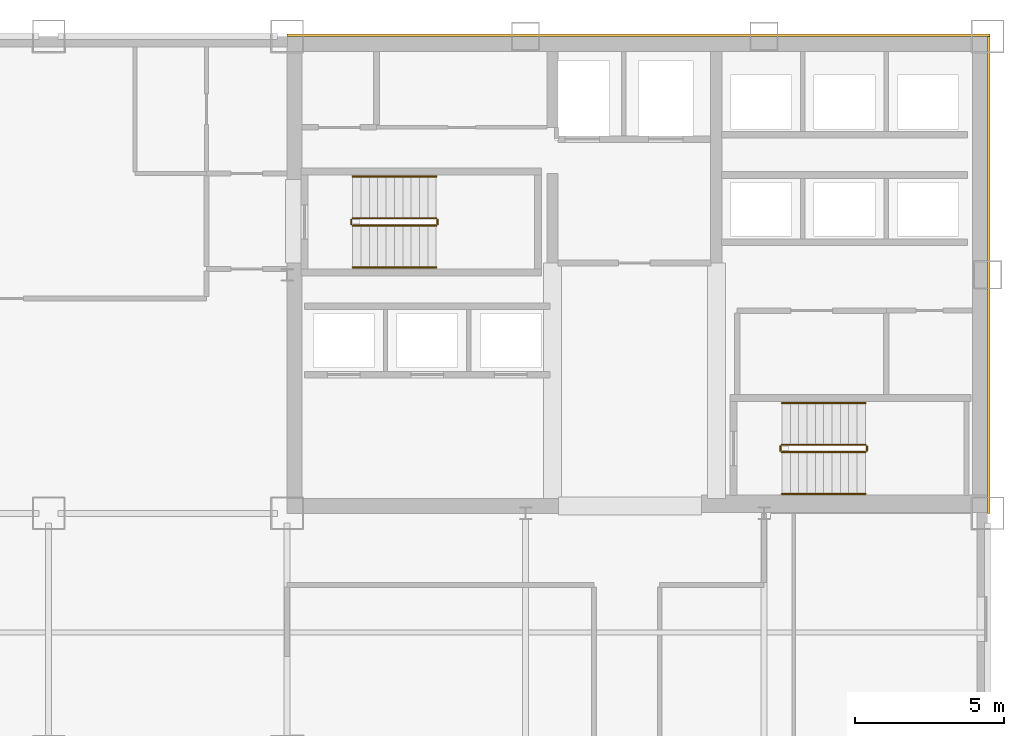
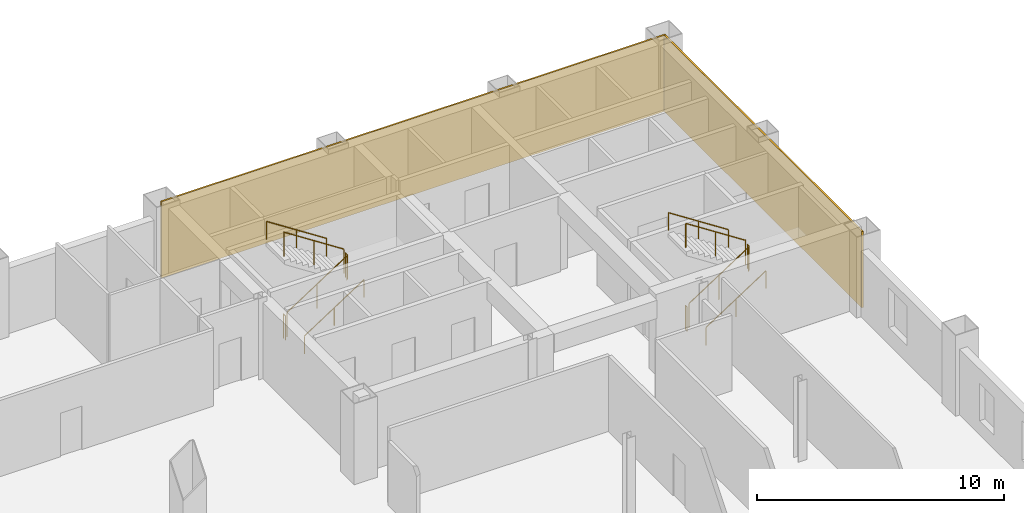
# One storey, part 9 of 9: 12 railings, 2 coverings.
"""IFC4 building model written with IfcOpenShell, lengths in metres."""

from ifc_helpers import new_model, si_unit, direction, frame, origin, origin_2d, place, context, subcontext, project, spatial, rectangle, circle, extrude, material, layer, layer_set, type_object, element, save


model = new_model("IFC4")

# Units and contexts
model_context = context("Model", 3, precision=1e-05, world=origin(), true_north=direction((0.0, 1.0)))
body_context = subcontext(model_context, "Body", "Model", "MODEL_VIEW")
ifc_project = project(units=[si_unit("LENGTHUNIT", "METRE"), si_unit("AREAUNIT", "SQUARE_METRE"), si_unit("VOLUMEUNIT", "CUBIC_METRE"), si_unit("PLANEANGLEUNIT", "RADIAN"), si_unit("MASSUNIT", "GRAM", prefix="KILO")], contexts=[model_context])

# Site, building, storey
site_placement = place(None, origin())
site = spatial("IfcSite", under=ifc_project, at=site_placement, CompositionType="ELEMENT")
building_placement = place(site_placement, origin())
building = spatial("IfcBuilding", under=site, at=building_placement, Name="Qianrong Seaharbour Tower", CompositionType="ELEMENT")
storey_placement = place(building_placement, frame((0.0, 0.0, 163.0)))
storey = spatial("IfcBuildingStorey", under=building, at=storey_placement, Name="L39", CompositionType="ELEMENT", Elevation=163.0)

# Coverings
ifc_material_1 = material(Name="Unitised red brick cladding on Precast concrete C45/55", Category="masonry")
ifc_layer = layer(ifc_material_1, 0.080078125)
ifc_layer_set = layer_set([ifc_layer], Name="Unitised red brick cladding on Precast concrete C45/55")
covering_type = type_object("IfcCoveringType", Name="COV-CLAD-RED-BRICK-80", PredefinedType="CLADDING", material=ifc_layer_set)
covering_1_placement = place(storey_placement, frame((52.2900390625, 52.0400390625, 0.0), z_axis=(0.0, 0.0, 1.0), x_axis=(1.0, 0.0, 0.0)))
element("IfcCovering", 1, at=covering_1_placement, inside=storey, type_object=covering_type, Name="L39 North Core Brick Veneer Cladding", PredefinedType="CLADDING", context=body_context, shape_type="SweptSolid", body=[
    extrude(rectangle(XDim=23.580078125, YDim=0.080078125, at=origin_2d()), origin(), (0.0, 0.0, 1.0), 3.764892578125),
])
covering_2_placement = place(storey_placement, frame((64.0400390625, 44.0, 0.0), z_axis=(0.0, 0.0, 1.0), x_axis=(1.0, 0.0, 0.0)))
element("IfcCovering", 2, at=covering_2_placement, inside=storey, type_object=covering_type, Name="L39 East Core Brick Veneer Cladding", PredefinedType="CLADDING", context=body_context, shape_type="SweptSolid", body=[
    extrude(rectangle(XDim=0.080078125, YDim=16.0, at=origin_2d()), origin(), (0.0, 0.0, 1.0), 3.764892578125),
])

# Railings
ifc_material_2 = material(Name="Galvanized painted steel SN400B stair guard", Category="steel")
railing_type_1 = type_object("IfcRailingType", Name="RAIL-STAIR-GUARD-1220", PredefinedType="GUARDRAIL", material=ifc_material_2)
railing_1_placement = place(storey_placement, frame((42.699951171875, 45.64990234375, 0.181884765625)))
element("IfcRailing", 3, at=railing_1_placement, inside=storey, type_object=railing_type_1, Name="L39 ST-1 stair guard 1", PredefinedType="GUARDRAIL", context=body_context, shape_type="SweptSolid", body=[
    extrude(circle(Radius=0.02392578125, at=origin_2d()), frame((0.0, 0.0, 1.19580078125), z_axis=(0.838705829183, 0.0, 0.544584733623), x_axis=(0.0, 1.0, 0.0)), (0.0, 0.0, 1.0), 3.338623046875),
    extrude(circle(Radius=0.02099609375, at=origin_2d()), origin(), (0.0, 0.0, 1.0), 1.171875),
    extrude(circle(Radius=0.02099609375, at=origin_2d()), frame((1.39990234375, 0.0, 0.9091796875)), (0.0, 0.0, 1.0), 1.171875),
    extrude(circle(Radius=0.02099609375, at=origin_2d()), frame((2.800048828125, 0.0, 1.818115234375)), (0.0, 0.0, 1.0), 1.171875),
])
railing_2_placement = place(storey_placement, frame((45.550048828125, 45.699951171875, 2.0)))
element("IfcRailing", 4, at=railing_2_placement, inside=storey, type_object=railing_type_1, Name="L39 ST-1 stair guard 2", PredefinedType="GUARDRAIL", context=body_context, shape_type="SweptSolid", body=[
    extrude(circle(Radius=0.02392578125, at=origin_2d()), frame((0.0, 0.0, 1.19580078125), z_axis=(0.0, 1.0, 0.0), x_axis=(-1.0, 0.0, 0.0)), (0.0, 0.0, 1.0), 0.150146484375),
    extrude(circle(Radius=0.02099609375, at=origin_2d()), origin(), (0.0, 0.0, 1.0), 1.171875),
    extrude(circle(Radius=0.02099609375, at=origin_2d()), frame((0.0, 0.150146484375, 0.0)), (0.0, 0.0, 1.0), 1.171875),
])
railing_3_placement = place(storey_placement, frame((45.5, 45.89990234375, 2.181884765625)))
element("IfcRailing", 5, at=railing_3_placement, inside=storey, type_object=railing_type_1, Name="L39 ST-1 stair guard 3", PredefinedType="GUARDRAIL", context=body_context, shape_type="SweptSolid", body=[
    extrude(circle(Radius=0.02392578125, at=origin_2d()), frame((0.0, 0.0, 1.19580078125), z_axis=(-0.838705829183, 0.0, 0.544584733623), x_axis=(0.0, -1.0, 0.0)), (0.0, 0.0, 1.0), 3.338623046875),
    extrude(circle(Radius=0.02099609375, at=origin_2d()), origin(), (0.0, 0.0, 1.0), 1.171875),
    extrude(circle(Radius=0.02099609375, at=origin_2d()), frame((-1.39990234375, 0.0, 0.9091796875)), (0.0, 0.0, 1.0), 1.171875),
    extrude(circle(Radius=0.02099609375, at=origin_2d()), frame((-2.800048828125, 0.0, 1.818115234375)), (0.0, 0.0, 1.0), 1.171875),
])
railing_4_placement = place(storey_placement, frame((42.64990234375, 45.699951171875, 0.0)))
element("IfcRailing", 6, at=railing_4_placement, inside=storey, type_object=railing_type_1, Name="L39 ST-1 stair guard 4", PredefinedType="GUARDRAIL", context=body_context, shape_type="SweptSolid", body=[
    extrude(circle(Radius=0.02392578125, at=origin_2d()), frame((0.0, 0.0, 1.19580078125), z_axis=(0.0, 1.0, 0.0), x_axis=(-1.0, 0.0, 0.0)), (0.0, 0.0, 1.0), 0.150146484375),
    extrude(circle(Radius=0.02099609375, at=origin_2d()), origin(), (0.0, 0.0, 1.0), 1.171875),
    extrude(circle(Radius=0.02099609375, at=origin_2d()), frame((0.0, 0.150146484375, 0.0)), (0.0, 0.0, 1.0), 1.171875),
])
railing_5_placement = place(storey_placement, frame((57.10009765625, 38.050048828125, 0.181884765625)))
element("IfcRailing", 7, at=railing_5_placement, inside=storey, type_object=railing_type_1, Name="L39 ST-2 stair guard 1", PredefinedType="GUARDRAIL", context=body_context, shape_type="SweptSolid", body=[
    extrude(circle(Radius=0.02392578125, at=origin_2d()), frame((0.0, 0.0, 1.19580078125), z_axis=(0.83868413941, 0.0, 0.544618136222), x_axis=(0.0, 1.0, 0.0)), (0.0, 0.0, 1.0), 3.33837890625),
    extrude(circle(Radius=0.02099609375, at=origin_2d()), origin(), (0.0, 0.0, 1.0), 1.171875),
    extrude(circle(Radius=0.02099609375, at=origin_2d()), frame((1.39990234375, 0.0, 0.9091796875)), (0.0, 0.0, 1.0), 1.171875),
    extrude(circle(Radius=0.02099609375, at=origin_2d()), frame((2.7998046875, 0.0, 1.818115234375)), (0.0, 0.0, 1.0), 1.171875),
])
railing_6_placement = place(storey_placement, frame((59.949951171875, 38.10009765625, 2.0)))
element("IfcRailing", 8, at=railing_6_placement, inside=storey, type_object=railing_type_1, Name="L39 ST-2 stair guard 2", PredefinedType="GUARDRAIL", context=body_context, shape_type="SweptSolid", body=[
    extrude(circle(Radius=0.02392578125, at=origin_2d()), frame((0.0, 0.0, 1.19580078125), z_axis=(0.0, 1.0, 0.0), x_axis=(-1.0, 0.0, 0.0)), (0.0, 0.0, 1.0), 0.14990234375),
    extrude(circle(Radius=0.02099609375, at=origin_2d()), origin(), (0.0, 0.0, 1.0), 1.171875),
    extrude(circle(Radius=0.02099609375, at=origin_2d()), frame((0.0, 0.14990234375, 0.0)), (0.0, 0.0, 1.0), 1.171875),
])
railing_7_placement = place(storey_placement, frame((59.89990234375, 38.300048828125, 2.181884765625)))
element("IfcRailing", 9, at=railing_7_placement, inside=storey, type_object=railing_type_1, Name="L39 ST-2 stair guard 3", PredefinedType="GUARDRAIL", context=body_context, shape_type="SweptSolid", body=[
    extrude(circle(Radius=0.02392578125, at=origin_2d()), frame((0.0, 0.0, 1.19580078125), z_axis=(-0.83868413941, 0.0, 0.544618136222), x_axis=(0.0, -1.0, 0.0)), (0.0, 0.0, 1.0), 3.33837890625),
    extrude(circle(Radius=0.02099609375, at=origin_2d()), origin(), (0.0, 0.0, 1.0), 1.171875),
    extrude(circle(Radius=0.02099609375, at=origin_2d()), frame((-1.39990234375, 0.0, 0.9091796875)), (0.0, 0.0, 1.0), 1.171875),
    extrude(circle(Radius=0.02099609375, at=origin_2d()), frame((-2.7998046875, 0.0, 1.818115234375)), (0.0, 0.0, 1.0), 1.171875),
])
railing_8_placement = place(storey_placement, frame((57.050048828125, 38.10009765625, 0.0)))
element("IfcRailing", 10, at=railing_8_placement, inside=storey, type_object=railing_type_1, Name="L39 ST-2 stair guard 4", PredefinedType="GUARDRAIL", context=body_context, shape_type="SweptSolid", body=[
    extrude(circle(Radius=0.02392578125, at=origin_2d()), frame((0.0, 0.0, 1.19580078125), z_axis=(0.0, 1.0, 0.0), x_axis=(-1.0, 0.0, 0.0)), (0.0, 0.0, 1.0), 0.14990234375),
    extrude(circle(Radius=0.02099609375, at=origin_2d()), origin(), (0.0, 0.0, 1.0), 1.171875),
    extrude(circle(Radius=0.02099609375, at=origin_2d()), frame((0.0, 0.14990234375, 0.0)), (0.0, 0.0, 1.0), 1.171875),
])
ifc_material_3 = material(Name="Stainless steel SUS316L continuous handrail", Category="steel")
railing_type_2 = type_object("IfcRailingType", Name="RAIL-STAIR-HANDRAIL-900", PredefinedType="HANDRAIL", material=ifc_material_3)
railing_9_placement = place(storey_placement, frame((42.699951171875, 44.25, 0.181884765625)))
element("IfcRailing", 11, at=railing_9_placement, inside=storey, type_object=railing_type_2, Name="L39 ST-1 stair handrail 1", PredefinedType="HANDRAIL", context=body_context, shape_type="SweptSolid", body=[
    extrude(circle(Radius=0.02392578125, at=origin_2d()), frame((0.0, 0.0, 0.8759765625), z_axis=(0.838705829183, 0.0, 0.544584733623), x_axis=(0.0, 1.0, 0.0)), (0.0, 0.0, 1.0), 3.338623046875),
    extrude(circle(Radius=0.02099609375, at=origin_2d()), origin(), (0.0, 0.0, 1.0), 0.851806640625),
    extrude(circle(Radius=0.02099609375, at=origin_2d()), frame((1.39990234375, 0.0, 0.9091796875)), (0.0, 0.0, 1.0), 0.851806640625),
    extrude(circle(Radius=0.02099609375, at=origin_2d()), frame((2.800048828125, 0.0, 1.818115234375)), (0.0, 0.0, 1.0), 0.851806640625),
])
railing_10_placement = place(storey_placement, frame((45.5, 47.300048828125, 2.181884765625)))
element("IfcRailing", 12, at=railing_10_placement, inside=storey, type_object=railing_type_2, Name="L39 ST-1 stair handrail 2", PredefinedType="HANDRAIL", context=body_context, shape_type="SweptSolid", body=[
    extrude(circle(Radius=0.02392578125, at=origin_2d()), frame((0.0, 0.0, 0.8759765625), z_axis=(-0.838705829183, 0.0, 0.544584733623), x_axis=(0.0, -1.0, 0.0)), (0.0, 0.0, 1.0), 3.338623046875),
    extrude(circle(Radius=0.02099609375, at=origin_2d()), origin(), (0.0, 0.0, 1.0), 0.851806640625),
    extrude(circle(Radius=0.02099609375, at=origin_2d()), frame((-1.39990234375, 0.0, 0.9091796875)), (0.0, 0.0, 1.0), 0.851806640625),
    extrude(circle(Radius=0.02099609375, at=origin_2d()), frame((-2.800048828125, 0.0, 1.818115234375)), (0.0, 0.0, 1.0), 0.851806640625),
])
railing_11_placement = place(storey_placement, frame((57.10009765625, 36.64990234375, 0.181884765625)))
element("IfcRailing", 13, at=railing_11_placement, inside=storey, type_object=railing_type_2, Name="L39 ST-2 stair handrail 1", PredefinedType="HANDRAIL", context=body_context, shape_type="SweptSolid", body=[
    extrude(circle(Radius=0.02392578125, at=origin_2d()), frame((0.0, 0.0, 0.8759765625), z_axis=(0.83868413941, 0.0, 0.544618136222), x_axis=(0.0, 1.0, 0.0)), (0.0, 0.0, 1.0), 3.33837890625),
    extrude(circle(Radius=0.02099609375, at=origin_2d()), origin(), (0.0, 0.0, 1.0), 0.851806640625),
    extrude(circle(Radius=0.02099609375, at=origin_2d()), frame((1.39990234375, 0.0, 0.9091796875)), (0.0, 0.0, 1.0), 0.851806640625),
    extrude(circle(Radius=0.02099609375, at=origin_2d()), frame((2.7998046875, 0.0, 1.818115234375)), (0.0, 0.0, 1.0), 0.851806640625),
])
railing_12_placement = place(storey_placement, frame((59.89990234375, 39.699951171875, 2.181884765625)))
element("IfcRailing", 14, at=railing_12_placement, inside=storey, type_object=railing_type_2, Name="L39 ST-2 stair handrail 2", PredefinedType="HANDRAIL", context=body_context, shape_type="SweptSolid", body=[
    extrude(circle(Radius=0.02392578125, at=origin_2d()), frame((0.0, 0.0, 0.8759765625), z_axis=(-0.83868413941, 0.0, 0.544618136222), x_axis=(0.0, -1.0, 0.0)), (0.0, 0.0, 1.0), 3.33837890625),
    extrude(circle(Radius=0.02099609375, at=origin_2d()), origin(), (0.0, 0.0, 1.0), 0.851806640625),
    extrude(circle(Radius=0.02099609375, at=origin_2d()), frame((-1.39990234375, 0.0, 0.9091796875)), (0.0, 0.0, 1.0), 0.851806640625),
    extrude(circle(Radius=0.02099609375, at=origin_2d()), frame((-2.7998046875, 0.0, 1.818115234375)), (0.0, 0.0, 1.0), 0.851806640625),
])

save(model, "model.ifc")
